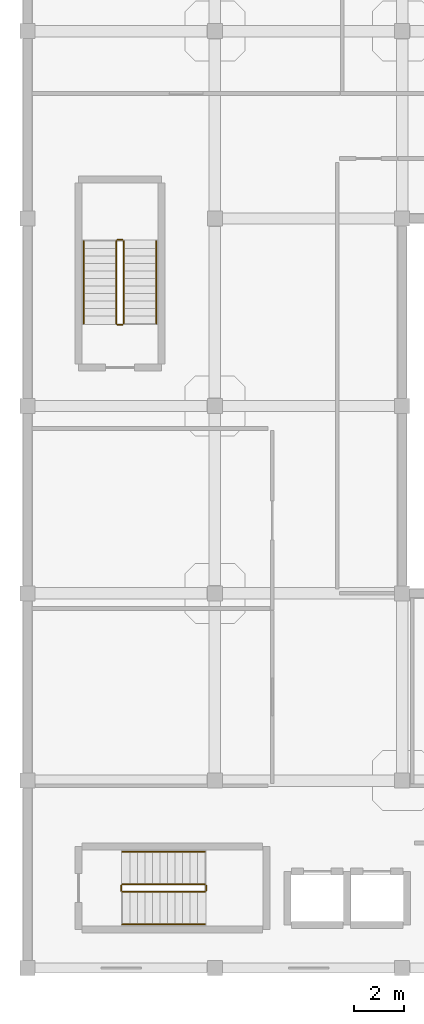
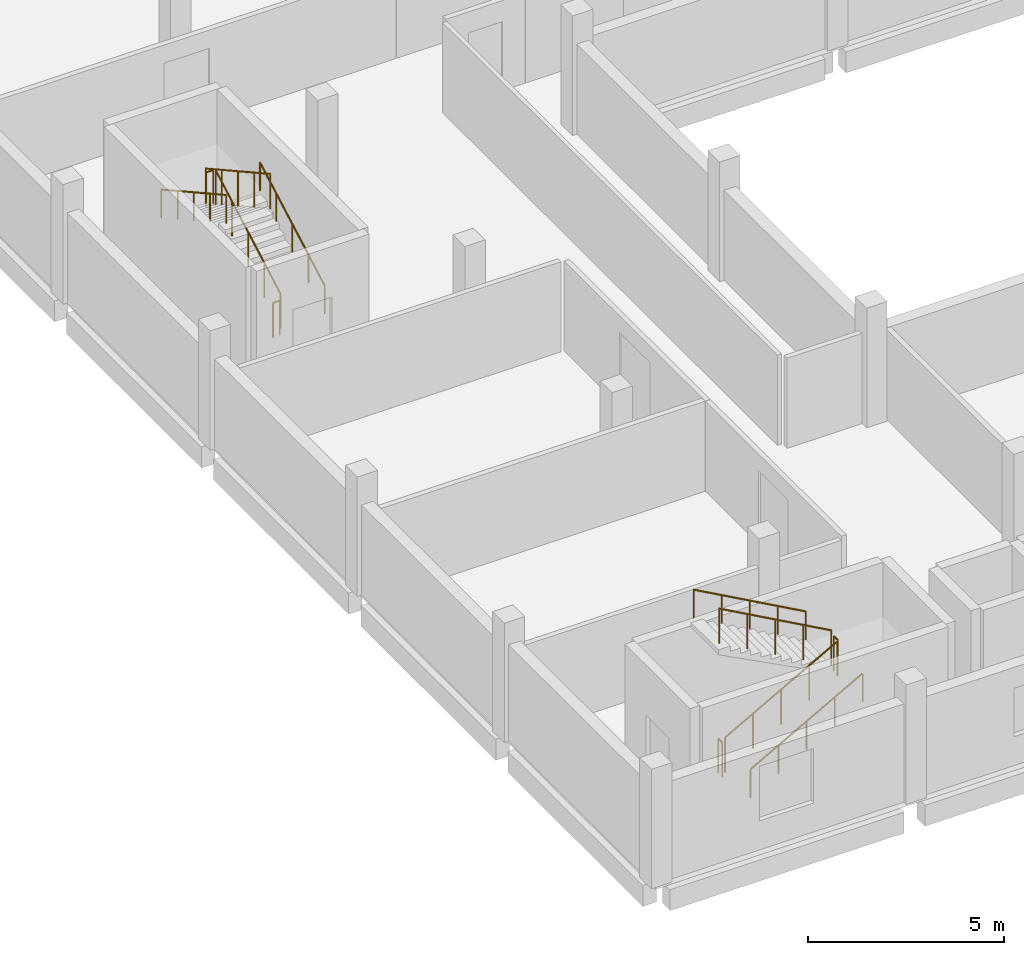
# One storey, part 17 of 21: 12 railings.
"""IFC4 building model written with IfcOpenShell, lengths in metres."""

from ifc_helpers import new_model, si_unit, direction, frame, origin, origin_2d, place, context, subcontext, project, spatial, circle, extrude, material, type_object, element, save


model = new_model("IFC4")

# Units and contexts
model_context = context("Model", 3, precision=1e-05, world=origin(), true_north=direction((0.0, 1.0)))
body_context = subcontext(model_context, "Body", "Model", "MODEL_VIEW")
ifc_project = project(units=[si_unit("LENGTHUNIT", "METRE"), si_unit("AREAUNIT", "SQUARE_METRE"), si_unit("VOLUMEUNIT", "CUBIC_METRE"), si_unit("PLANEANGLEUNIT", "RADIAN"), si_unit("MASSUNIT", "GRAM", prefix="KILO")], contexts=[model_context])

# Site, building, storey
site_placement = place(None, origin())
site = spatial("IfcSite", under=ifc_project, at=site_placement, CompositionType="ELEMENT")
building_placement = place(site_placement, origin())
building = spatial("IfcBuilding", under=site, at=building_placement, Name="Mawjan Specialist Oncology Clinic", CompositionType="ELEMENT")
storey_placement = place(building_placement, frame((0.0, 0.0, 13.5)))
storey = spatial("IfcBuildingStorey", under=building, at=storey_placement, Name="L03", CompositionType="ELEMENT", Elevation=13.5)

# Railings
ifc_material_1 = material(Name="Powder-coated steel stair guard with vertical infill pickets", Category="steel")
railing_type_1 = type_object("IfcRailingType", Name="GR-110", PredefinedType="GUARDRAIL", material=ifc_material_1)
railing_1_placement = place(storey_placement, frame((3.800048828125, 3.85009765625, 0.166748046875)))
element("IfcRailing", 1, at=railing_1_placement, inside=storey, type_object=railing_type_1, Name="L03 ST-01 stair guard 1", PredefinedType="GUARDRAIL", context=body_context, shape_type="SweptSolid", body=[
    extrude(circle(Radius=0.02392578125, at=origin_2d()), frame((0.0, 0.0, 1.076171875), z_axis=(0.874169478083, 0.0, 0.485620966999), x_axis=(0.0, 1.0, 0.0)), (0.0, 0.0, 1.0), 3.775146484375),
    extrude(circle(Radius=0.02099609375, at=origin_2d()), origin(), (0.0, 0.0, 1.0), 1.052001953125),
    extrude(circle(Radius=0.02099609375, at=origin_2d()), frame((0.824951171875, 0.0, 0.458251953125)), (0.0, 0.0, 1.0), 1.052001953125),
    extrude(circle(Radius=0.02099609375, at=origin_2d()), frame((1.64990234375, 0.0, 0.91650390625)), (0.0, 0.0, 1.0), 1.052001953125),
    extrude(circle(Radius=0.02099609375, at=origin_2d()), frame((2.47509765625, 0.0, 1.375)), (0.0, 0.0, 1.0), 1.052001953125),
    extrude(circle(Radius=0.02099609375, at=origin_2d()), frame((3.300048828125, 0.0, 1.833251953125)), (0.0, 0.0, 1.0), 1.052001953125),
])
railing_2_placement = place(storey_placement, frame((7.14990234375, 3.89990234375, 2.0)))
element("IfcRailing", 2, at=railing_2_placement, inside=storey, type_object=railing_type_1, Name="L03 ST-01 stair guard 2", PredefinedType="GUARDRAIL", context=body_context, shape_type="SweptSolid", body=[
    extrude(circle(Radius=0.02392578125, at=origin_2d()), frame((0.0, 0.0, 1.076171875), z_axis=(0.0, 1.0, 0.0), x_axis=(-1.0, 0.0, 0.0)), (0.0, 0.0, 1.0), 0.2001953125),
    extrude(circle(Radius=0.02099609375, at=origin_2d()), origin(), (0.0, 0.0, 1.0), 1.052001953125),
    extrude(circle(Radius=0.02099609375, at=origin_2d()), frame((0.0, 0.2001953125, 0.0)), (0.0, 0.0, 1.0), 1.052001953125),
])
railing_3_placement = place(storey_placement, frame((7.10009765625, 4.14990234375, 2.166748046875)))
element("IfcRailing", 3, at=railing_3_placement, inside=storey, type_object=railing_type_1, Name="L03 ST-01 stair guard 3", PredefinedType="GUARDRAIL", context=body_context, shape_type="SweptSolid", body=[
    extrude(circle(Radius=0.02392578125, at=origin_2d()), frame((0.0, 0.0, 1.076171875), z_axis=(-0.874169478083, 0.0, 0.485620966999), x_axis=(0.0, -1.0, 0.0)), (0.0, 0.0, 1.0), 3.775146484375),
    extrude(circle(Radius=0.02099609375, at=origin_2d()), origin(), (0.0, 0.0, 1.0), 1.052001953125),
    extrude(circle(Radius=0.02099609375, at=origin_2d()), frame((-0.824951171875, 0.0, 0.458251953125)), (0.0, 0.0, 1.0), 1.052001953125),
    extrude(circle(Radius=0.02099609375, at=origin_2d()), frame((-1.64990234375, 0.0, 0.91650390625)), (0.0, 0.0, 1.0), 1.052001953125),
    extrude(circle(Radius=0.02099609375, at=origin_2d()), frame((-2.47509765625, 0.0, 1.375)), (0.0, 0.0, 1.0), 1.052001953125),
    extrude(circle(Radius=0.02099609375, at=origin_2d()), frame((-3.300048828125, 0.0, 1.833251953125)), (0.0, 0.0, 1.0), 1.052001953125),
])
railing_4_placement = place(storey_placement, frame((3.75, 3.89990234375, 0.0)))
element("IfcRailing", 4, at=railing_4_placement, inside=storey, type_object=railing_type_1, Name="L03 ST-01 stair guard 4", PredefinedType="GUARDRAIL", context=body_context, shape_type="SweptSolid", body=[
    extrude(circle(Radius=0.02392578125, at=origin_2d()), frame((0.0, 0.0, 1.076171875), z_axis=(0.0, 1.0, 0.0), x_axis=(-1.0, 0.0, 0.0)), (0.0, 0.0, 1.0), 0.2001953125),
    extrude(circle(Radius=0.02099609375, at=origin_2d()), origin(), (0.0, 0.0, 1.0), 1.052001953125),
    extrude(circle(Radius=0.02099609375, at=origin_2d()), frame((0.0, 0.2001953125, 0.0)), (0.0, 0.0, 1.0), 1.052001953125),
])
railing_5_placement = place(storey_placement, frame((3.85009765625, 26.60009765625, 0.166748046875)))
element("IfcRailing", 5, at=railing_5_placement, inside=storey, type_object=railing_type_1, Name="L03 ST-02 stair guard 1", PredefinedType="GUARDRAIL", context=body_context, shape_type="SweptSolid", body=[
    extrude(circle(Radius=0.02392578125, at=origin_2d()), frame((0.0, 0.0, 1.076171875), z_axis=(0.0, 0.874154225373, 0.485648422486), x_axis=(-1.0, 0.0, 0.0)), (0.0, 0.0, 1.0), 3.77490234375),
    extrude(circle(Radius=0.02099609375, at=origin_2d()), origin(), (0.0, 0.0, 1.0), 1.052001953125),
    extrude(circle(Radius=0.02099609375, at=origin_2d()), frame((0.0, 0.824951171875, 0.458251953125)), (0.0, 0.0, 1.0), 1.052001953125),
    extrude(circle(Radius=0.02099609375, at=origin_2d()), frame((0.0, 1.64990234375, 0.91650390625)), (0.0, 0.0, 1.0), 1.052001953125),
    extrude(circle(Radius=0.02099609375, at=origin_2d()), frame((0.0, 2.474853515625, 1.375)), (0.0, 0.0, 1.0), 1.052001953125),
    extrude(circle(Radius=0.02099609375, at=origin_2d()), frame((0.0, 3.2998046875, 1.833251953125)), (0.0, 0.0, 1.0), 1.052001953125),
])
railing_6_placement = place(storey_placement, frame((3.800048828125, 29.949951171875, 2.0)))
element("IfcRailing", 6, at=railing_6_placement, inside=storey, type_object=railing_type_1, Name="L03 ST-02 stair guard 2", PredefinedType="GUARDRAIL", context=body_context, shape_type="SweptSolid", body=[
    extrude(circle(Radius=0.02392578125, at=origin_2d()), frame((0.0, 0.0, 1.076171875), z_axis=(-1.0, 0.0, 0.0), x_axis=(0.0, -1.0, 0.0)), (0.0, 0.0, 1.0), 0.199951171875),
    extrude(circle(Radius=0.02099609375, at=origin_2d()), origin(), (0.0, 0.0, 1.0), 1.052001953125),
    extrude(circle(Radius=0.02099609375, at=origin_2d()), frame((-0.199951171875, 0.0, 0.0)), (0.0, 0.0, 1.0), 1.052001953125),
])
railing_7_placement = place(storey_placement, frame((3.550048828125, 29.89990234375, 2.166748046875)))
element("IfcRailing", 7, at=railing_7_placement, inside=storey, type_object=railing_type_1, Name="L03 ST-02 stair guard 3", PredefinedType="GUARDRAIL", context=body_context, shape_type="SweptSolid", body=[
    extrude(circle(Radius=0.02392578125, at=origin_2d()), frame((0.0, 0.0, 1.076171875), z_axis=(0.0, -0.874154225373, 0.485648422486), x_axis=(1.0, 0.0, 0.0)), (0.0, 0.0, 1.0), 3.77490234375),
    extrude(circle(Radius=0.02099609375, at=origin_2d()), origin(), (0.0, 0.0, 1.0), 1.052001953125),
    extrude(circle(Radius=0.02099609375, at=origin_2d()), frame((0.0, -0.824951171875, 0.458251953125)), (0.0, 0.0, 1.0), 1.052001953125),
    extrude(circle(Radius=0.02099609375, at=origin_2d()), frame((0.0, -1.64990234375, 0.91650390625)), (0.0, 0.0, 1.0), 1.052001953125),
    extrude(circle(Radius=0.02099609375, at=origin_2d()), frame((0.0, -2.474853515625, 1.375)), (0.0, 0.0, 1.0), 1.052001953125),
    extrude(circle(Radius=0.02099609375, at=origin_2d()), frame((0.0, -3.2998046875, 1.833251953125)), (0.0, 0.0, 1.0), 1.052001953125),
])
railing_8_placement = place(storey_placement, frame((3.800048828125, 26.550048828125, 0.0)))
element("IfcRailing", 8, at=railing_8_placement, inside=storey, type_object=railing_type_1, Name="L03 ST-02 stair guard 4", PredefinedType="GUARDRAIL", context=body_context, shape_type="SweptSolid", body=[
    extrude(circle(Radius=0.02392578125, at=origin_2d()), frame((0.0, 0.0, 1.076171875), z_axis=(-1.0, 0.0, 0.0), x_axis=(0.0, -1.0, 0.0)), (0.0, 0.0, 1.0), 0.199951171875),
    extrude(circle(Radius=0.02099609375, at=origin_2d()), origin(), (0.0, 0.0, 1.0), 1.052001953125),
    extrude(circle(Radius=0.02099609375, at=origin_2d()), frame((-0.199951171875, 0.0, 0.0)), (0.0, 0.0, 1.0), 1.052001953125),
])
ifc_material_2 = material(Name="Brushed stainless-steel tubular handrail", Category="steel")
railing_type_2 = type_object("IfcRailingType", Name="HR-090", PredefinedType="HANDRAIL", material=ifc_material_2)
railing_9_placement = place(storey_placement, frame((3.800048828125, 2.550048828125, 0.166748046875)))
element("IfcRailing", 9, at=railing_9_placement, inside=storey, type_object=railing_type_2, Name="L03 ST-01 stair handrail 1", PredefinedType="HANDRAIL", context=body_context, shape_type="SweptSolid", body=[
    extrude(circle(Radius=0.02392578125, at=origin_2d()), frame((0.0, 0.0, 0.8759765625), z_axis=(0.874169478083, 0.0, 0.485620966999), x_axis=(0.0, 1.0, 0.0)), (0.0, 0.0, 1.0), 3.775146484375),
    extrude(circle(Radius=0.02099609375, at=origin_2d()), origin(), (0.0, 0.0, 1.0), 0.851806640625),
    extrude(circle(Radius=0.02099609375, at=origin_2d()), frame((0.824951171875, 0.0, 0.458251953125)), (0.0, 0.0, 1.0), 0.851806640625),
    extrude(circle(Radius=0.02099609375, at=origin_2d()), frame((1.64990234375, 0.0, 0.91650390625)), (0.0, 0.0, 1.0), 0.851806640625),
    extrude(circle(Radius=0.02099609375, at=origin_2d()), frame((2.47509765625, 0.0, 1.375)), (0.0, 0.0, 1.0), 0.851806640625),
    extrude(circle(Radius=0.02099609375, at=origin_2d()), frame((3.300048828125, 0.0, 1.833251953125)), (0.0, 0.0, 1.0), 0.851806640625),
])
railing_10_placement = place(storey_placement, frame((7.10009765625, 5.449951171875, 2.166748046875)))
element("IfcRailing", 10, at=railing_10_placement, inside=storey, type_object=railing_type_2, Name="L03 ST-01 stair handrail 2", PredefinedType="HANDRAIL", context=body_context, shape_type="SweptSolid", body=[
    extrude(circle(Radius=0.02392578125, at=origin_2d()), frame((0.0, 0.0, 0.8759765625), z_axis=(-0.874169478083, 0.0, 0.485620966999), x_axis=(0.0, -1.0, 0.0)), (0.0, 0.0, 1.0), 3.775146484375),
    extrude(circle(Radius=0.02099609375, at=origin_2d()), origin(), (0.0, 0.0, 1.0), 0.851806640625),
    extrude(circle(Radius=0.02099609375, at=origin_2d()), frame((-0.824951171875, 0.0, 0.458251953125)), (0.0, 0.0, 1.0), 0.851806640625),
    extrude(circle(Radius=0.02099609375, at=origin_2d()), frame((-1.64990234375, 0.0, 0.91650390625)), (0.0, 0.0, 1.0), 0.851806640625),
    extrude(circle(Radius=0.02099609375, at=origin_2d()), frame((-2.47509765625, 0.0, 1.375)), (0.0, 0.0, 1.0), 0.851806640625),
    extrude(circle(Radius=0.02099609375, at=origin_2d()), frame((-3.300048828125, 0.0, 1.833251953125)), (0.0, 0.0, 1.0), 0.851806640625),
])
railing_11_placement = place(storey_placement, frame((5.14990234375, 26.60009765625, 0.166748046875)))
element("IfcRailing", 11, at=railing_11_placement, inside=storey, type_object=railing_type_2, Name="L03 ST-02 stair handrail 1", PredefinedType="HANDRAIL", context=body_context, shape_type="SweptSolid", body=[
    extrude(circle(Radius=0.02392578125, at=origin_2d()), frame((0.0, 0.0, 0.8759765625), z_axis=(0.0, 0.874154225373, 0.485648422486), x_axis=(-1.0, 0.0, 0.0)), (0.0, 0.0, 1.0), 3.77490234375),
    extrude(circle(Radius=0.02099609375, at=origin_2d()), origin(), (0.0, 0.0, 1.0), 0.851806640625),
    extrude(circle(Radius=0.02099609375, at=origin_2d()), frame((0.0, 0.824951171875, 0.458251953125)), (0.0, 0.0, 1.0), 0.851806640625),
    extrude(circle(Radius=0.02099609375, at=origin_2d()), frame((0.0, 1.64990234375, 0.91650390625)), (0.0, 0.0, 1.0), 0.851806640625),
    extrude(circle(Radius=0.02099609375, at=origin_2d()), frame((0.0, 2.474853515625, 1.375)), (0.0, 0.0, 1.0), 0.851806640625),
    extrude(circle(Radius=0.02099609375, at=origin_2d()), frame((0.0, 3.2998046875, 1.833251953125)), (0.0, 0.0, 1.0), 0.851806640625),
])
railing_12_placement = place(storey_placement, frame((2.25, 29.89990234375, 2.166748046875)))
element("IfcRailing", 12, at=railing_12_placement, inside=storey, type_object=railing_type_2, Name="L03 ST-02 stair handrail 2", PredefinedType="HANDRAIL", context=body_context, shape_type="SweptSolid", body=[
    extrude(circle(Radius=0.02392578125, at=origin_2d()), frame((0.0, 0.0, 0.8759765625), z_axis=(0.0, -0.874154225373, 0.485648422486), x_axis=(1.0, 0.0, 0.0)), (0.0, 0.0, 1.0), 3.77490234375),
    extrude(circle(Radius=0.02099609375, at=origin_2d()), origin(), (0.0, 0.0, 1.0), 0.851806640625),
    extrude(circle(Radius=0.02099609375, at=origin_2d()), frame((0.0, -0.824951171875, 0.458251953125)), (0.0, 0.0, 1.0), 0.851806640625),
    extrude(circle(Radius=0.02099609375, at=origin_2d()), frame((0.0, -1.64990234375, 0.91650390625)), (0.0, 0.0, 1.0), 0.851806640625),
    extrude(circle(Radius=0.02099609375, at=origin_2d()), frame((0.0, -2.474853515625, 1.375)), (0.0, 0.0, 1.0), 0.851806640625),
    extrude(circle(Radius=0.02099609375, at=origin_2d()), frame((0.0, -3.2998046875, 1.833251953125)), (0.0, 0.0, 1.0), 0.851806640625),
])

save(model, "model.ifc")
